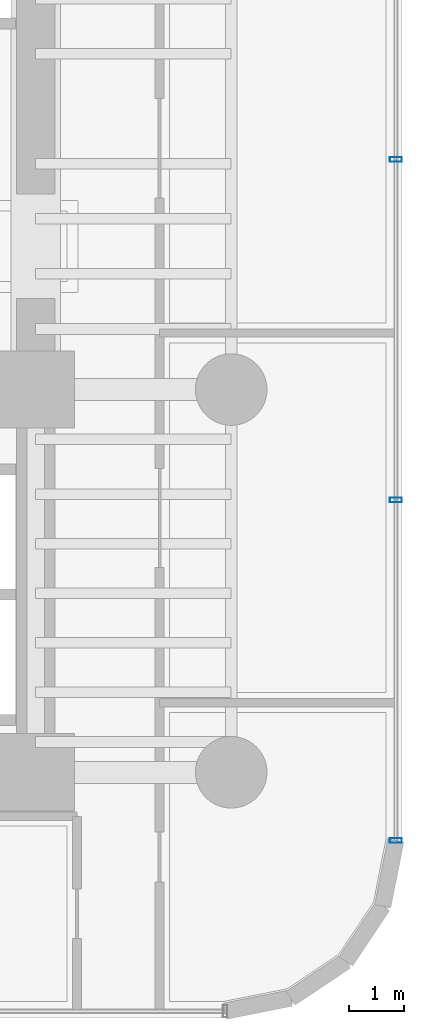
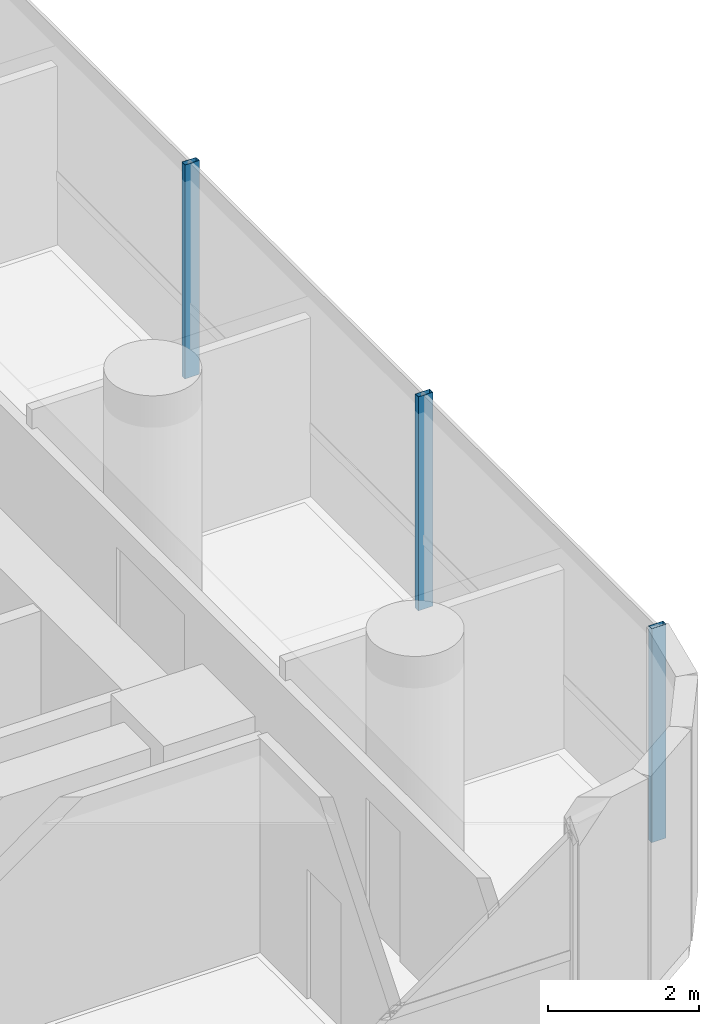
# One storey, part 26 of 41: 3 members, 1 element without a shape of its own.
"""IFC4 building model written with IfcOpenShell, lengths in metres."""

from ifc_helpers import new_model, si_unit, direction, frame, origin, origin_2d, place, context, subcontext, project, spatial, hollow_rectangle, extrude, source, transform, mapped, material, material_profile, profile_set, type_object, element, aggregate, save


model = new_model("IFC4")

# Units and contexts
model_context = context("Model", 3, precision=1e-05, world=origin(), true_north=direction((0.0, 1.0)))
body_context = subcontext(model_context, "Body", "Model", "MODEL_VIEW")
ifc_project = project(units=[si_unit("LENGTHUNIT", "METRE"), si_unit("AREAUNIT", "SQUARE_METRE"), si_unit("VOLUMEUNIT", "CUBIC_METRE"), si_unit("PLANEANGLEUNIT", "RADIAN"), si_unit("MASSUNIT", "GRAM", prefix="KILO")], contexts=[model_context])

# Site, building, storey
site_placement = place(None, origin())
site = spatial("IfcSite", under=ifc_project, at=site_placement, CompositionType="ELEMENT")
building_placement = place(site_placement, origin())
building = spatial("IfcBuilding", under=site, at=building_placement, Name="Valdorenza Pilgrim Sanctuary Tower", CompositionType="ELEMENT")
storey_placement = place(building_placement, frame((0.0, 0.0, 88.89990234375)))
storey = spatial("IfcBuildingStorey", under=building, at=storey_placement, Name="L22", CompositionType="ELEMENT", Elevation=88.89990234375)

# Curtain wall, members
ifc_material_1 = material(Name="Curtain-wall IGU glazing", Category="glass")
curtain_wall_type = type_object("IfcCurtainWallType", Name="CW-SYS-03", PredefinedType="NOTDEFINED", material=ifc_material_1)
curtain_wall_placement = place(storey_placement, origin())
curtain_wall = element("IfcCurtainWall", 1, at=curtain_wall_placement, inside=storey, type_object=curtain_wall_type, Name="L22 Curtain Wall CW-L22-1-21", PredefinedType="NOTDEFINED")
ifc_material_2 = material(Name="Anodised aluminium AW-6060", Category="aluminium")
ifc_material_profile = material_profile(ifc_material_2, hollow_rectangle(XDim=0.0849609375, YDim=0.219970703125, WallThickness=0.0048828125, at=origin_2d()), Name="ALU-M 220x85x5")
ifc_profile_set = profile_set([ifc_material_profile], Name="Anodised aluminium AW-6060")
member_type = type_object("IfcMemberType", Name="CW-MUL-03", PredefinedType="MULLION", material=ifc_profile_set)
shared_shape = source(origin(), body_context, "Body", "SweptSolid", [
    extrude(hollow_rectangle(XDim=0.0849609375, YDim=0.219970703125, WallThickness=0.0048828125, at=origin_2d()), origin(), (0.0, 0.0, 1.0), 3.460205078125),
])
member_1_placement = place(storey_placement, frame((31.389892578125, 1.577880859375, 0.0), z_axis=(0.0, 0.0, 1.0), x_axis=(0.0, -1.0, 0.0)))
member_1 = element("IfcMember", 2, at=member_1_placement, type_object=member_type, Name="CW-L22-1-21 Mullion 3", PredefinedType="MULLION", context=body_context, shape_type="MappedRepresentation", body=[
    mapped(shared_shape, transform((0.0, 0.0, 0.0), x_axis=(1.0, 0.0, 0.0), y_axis=(0.0, 1.0, 0.0), z_axis=(0.0, 0.0, 1.0), scale=1.0)),
])
member_2_placement = place(storey_placement, frame((31.389892578125, -4.605712890625, 0.0), z_axis=(0.0, 0.0, 1.0), x_axis=(0.0, -1.0, 0.0)))
member_2 = element("IfcMember", 3, at=member_2_placement, type_object=member_type, Name="CW-L22-1-21 Mullion 4", PredefinedType="MULLION", context=body_context, shape_type="MappedRepresentation", body=[
    mapped(shared_shape, transform((0.0, 0.0, 0.0), x_axis=(1.0, 0.0, 0.0), y_axis=(0.0, 1.0, 0.0), z_axis=(0.0, 0.0, 1.0), scale=1.0)),
])
member_3_placement = place(storey_placement, frame((31.389892578125, -10.789306640625, 0.0), z_axis=(0.0, 0.0, 1.0), x_axis=(0.0, -1.0, 0.0)))
member_3 = element("IfcMember", 4, at=member_3_placement, type_object=member_type, Name="CW-L22-1-21 Mullion 5", PredefinedType="MULLION", context=body_context, shape_type="MappedRepresentation", body=[
    mapped(shared_shape, transform((0.0, 0.0, 0.0), x_axis=(1.0, 0.0, 0.0), y_axis=(0.0, 1.0, 0.0), z_axis=(0.0, 0.0, 1.0), scale=1.0)),
])
aggregate(curtain_wall, [member_1, member_2, member_3])

save(model, "model.ifc")
